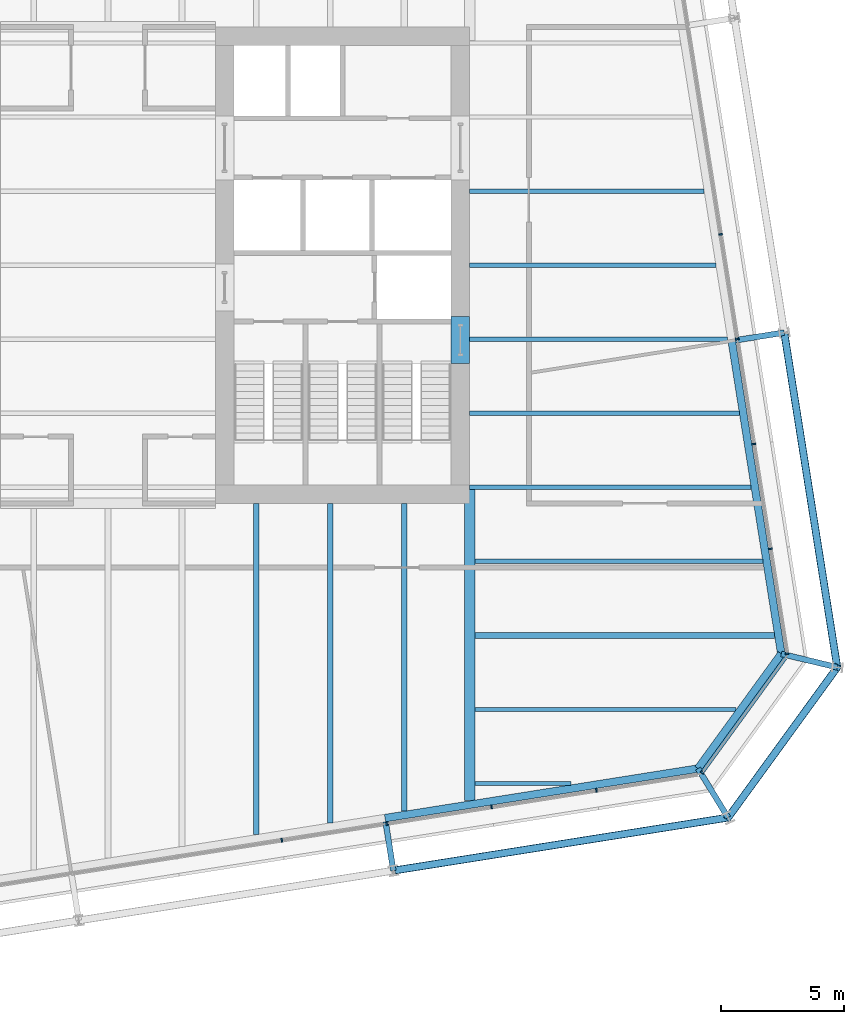
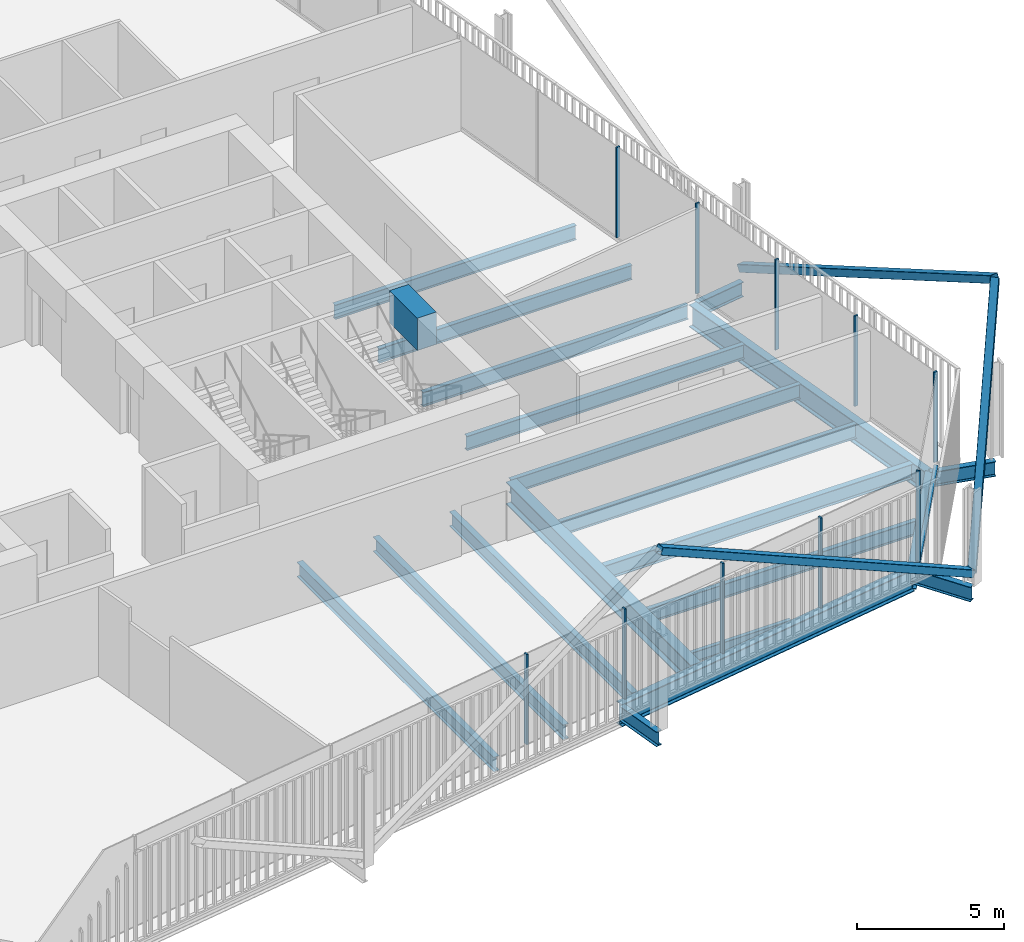
# One storey, part 8 of 22: 21 beams, 14 members, 3 elements without a shape of their own.
"""IFC4 building model written with IfcOpenShell, lengths in metres."""

import ifcopenshell
import ifcopenshell.guid

model = None  # the IFC model being written
_history = None  # IfcOwnerHistory: only IFC2X3 demands one
_inside = {}  # id of a spatial element -> (the spatial element, [elements in it])
_under = {}  # id of a project, library or spatial element -> (it, [spatial elements below it])
_declared = {}  # id of a project -> (the project, [libraries it declares])
_typed = {}  # id of a type object -> (the type object, [elements of that type])
_made_of = {}  # id of a material, layer set ... -> (it, [elements and type objects made of it])


def new_model(schema):
    """Start an empty IFC model of exactly this schema.

    Asked for "IFC4X3", IfcOpenShell would pick the latest addendum, in which some entities
    have other attributes; the version numbers below select the first issue.
    IFC2X3 requires an IfcOwnerHistory on every rooted entity: one is made here for all.
    """
    global model, _history
    if schema == "IFC4X3":
        model = ifcopenshell.file(schema_version=(4, 3, 0, 0))
    else:
        model = ifcopenshell.file(schema=schema)
    _inside.clear()
    _under.clear()
    _declared.clear()
    _typed.clear()
    _made_of.clear()
    _history = None
    if model.schema == "IFC2X3":
        org = make("IfcOrganization", Name="unknown")
        user = make(
            "IfcPersonAndOrganization",
            ThePerson=make("IfcPerson", FamilyName="unknown"),
            TheOrganization=org,
        )
        app = make(
            "IfcApplication",
            ApplicationDeveloper=org,
            Version="unknown",
            ApplicationFullName="unknown",
            ApplicationIdentifier="unknown",
        )
        _history = make(
            "IfcOwnerHistory",
            OwningUser=user,
            OwningApplication=app,
            ChangeAction="ADDED",
            CreationDate=0,
        )
    return model


def make(cls, **values):
    """One entity of the class cls with the attributes given. An attribute that is None is left unset."""
    return model.create_entity(
        cls, **{name: value for name, value in values.items() if value is not None}
    )


def rooted(cls, **values):
    """An entity with a GlobalId (a new one), such as an element, a storey or a relation."""
    return make(cls, GlobalId=ifcopenshell.guid.new(), OwnerHistory=_history, **values)


def si_unit(unit_type, name, prefix=None):
    """IfcSIUnit, for example si_unit("LENGTHUNIT", "METRE", prefix="MILLI")."""
    return make("IfcSIUnit", UnitType=unit_type, Prefix=prefix, Name=name)


def assignment(units):
    """IfcUnitAssignment: the units of a project."""
    return None if units is None else make("IfcUnitAssignment", Units=units)


def point(xyz):
    """IfcCartesianPoint."""
    return None if xyz is None else make("IfcCartesianPoint", Coordinates=xyz)


def direction(xyz):
    """IfcDirection."""
    return None if xyz is None else make("IfcDirection", DirectionRatios=xyz)


def frame(location, z_axis=None, x_axis=None):
    """IfcAxis2Placement3D, a coordinate frame: its origin and axes. An axis left out is left unset."""
    return make(
        "IfcAxis2Placement3D",
        Location=point(location),
        Axis=direction(z_axis),
        RefDirection=direction(x_axis),
    )


def frame_2d(location, x_axis=None):
    """IfcAxis2Placement2D, a coordinate frame in the plane: its origin and x axis."""
    return make(
        "IfcAxis2Placement2D", Location=point(location), RefDirection=direction(x_axis)
    )


def origin():
    """The frame at (0, 0, 0) with its axes left unset."""
    return frame((0.0, 0.0, 0.0))


def origin_2d():
    """The frame at (0, 0) in the plane with its x axis left unset."""
    return frame_2d((0.0, 0.0))


def place(relative_to, where):
    """IfcLocalPlacement: puts the frame where relative to a parent placement (None: the world)."""
    return make(
        "IfcLocalPlacement", PlacementRelTo=relative_to, RelativePlacement=where
    )


def context(
    kind, dimensions, precision=None, world=None, true_north=None, identifier=None
):
    """IfcGeometricRepresentationContext, for example the 3D "Model" context."""
    return make(
        "IfcGeometricRepresentationContext",
        ContextIdentifier=identifier,
        ContextType=kind,
        CoordinateSpaceDimension=dimensions,
        Precision=precision,
        WorldCoordinateSystem=world,
        TrueNorth=true_north,
    )


def subcontext(parent, identifier, kind, view, scale=None):
    """IfcGeometricRepresentationSubContext, for example "Body" below "Model"."""
    return make(
        "IfcGeometricRepresentationSubContext",
        ContextIdentifier=identifier,
        ContextType=kind,
        ParentContext=parent,
        TargetScale=scale,
        TargetView=view,
    )


def project(units=None, contexts=None):
    """IfcProject with its units and contexts."""
    return rooted(
        "IfcProject",
        Name="project",
        RepresentationContexts=contexts,
        UnitsInContext=assignment(units),
    )


def spatial(cls, under=None, at=None, **own):
    """A site, building, storey or space (cls), placed at a placement, below another one or the project."""
    s = rooted(cls, ObjectPlacement=at, **own)
    if under is not None:
        _under.setdefault(under.id(), (under, []))[1].append(s)
    return s


def profile(cls, at=None, kind="AREA", **sizes):
    """A parametric profile (cls). Its sizes go by their IFC names, for example OverallWidth=200.0."""
    return make(cls, ProfileType=kind, Position=at, **sizes)


def rectangle(**sizes):
    """IfcRectangleProfileDef."""
    return profile("IfcRectangleProfileDef", **sizes)


def hollow_rectangle(**sizes):
    """IfcRectangleHollowProfileDef."""
    return profile("IfcRectangleHollowProfileDef", **sizes)


def i_section(**sizes):
    """IfcIShapeProfileDef."""
    return profile("IfcIShapeProfileDef", **sizes)


def extrude(swept, where, along, depth):
    """IfcExtrudedAreaSolid: the profile swept, set in the frame where, extruded along a direction by depth."""
    return make(
        "IfcExtrudedAreaSolid",
        SweptArea=swept,
        Position=where,
        ExtrudedDirection=direction(along),
        Depth=depth,
    )


def shape(context_of_items, identifier, shape_type, items):
    """IfcShapeRepresentation: the items that make up one representation, for example the "Body"."""
    return make(
        "IfcShapeRepresentation",
        ContextOfItems=context_of_items,
        RepresentationIdentifier=identifier,
        RepresentationType=shape_type,
        Items=items,
    )


def material(Name=None, Category=None):
    """IfcMaterial."""
    return make("IfcMaterial", Name=Name, Category=Category)


def layer(
    of_material, thickness, ventilated=None, Name=None, Category=None, Priority=None
):
    """IfcMaterialLayer: one layer of a wall or slab, of a material (None: an air gap)."""
    return make(
        "IfcMaterialLayer",
        Material=of_material,
        LayerThickness=thickness,
        IsVentilated=ventilated,
        Name=Name,
        Category=Category,
        Priority=Priority,
    )


def layer_set(layers, Name=None):
    """IfcMaterialLayerSet."""
    return make("IfcMaterialLayerSet", MaterialLayers=layers, LayerSetName=Name)


def material_profile(
    of_material, cross_section, Name=None, Category=None, Priority=None
):
    """IfcMaterialProfile: a cross section and its material."""
    return make(
        "IfcMaterialProfile",
        Name=Name,
        Material=of_material,
        Profile=cross_section,
        Priority=Priority,
        Category=Category,
    )


def profile_set(profiles, Name=None, composite=None):
    """IfcMaterialProfileSet."""
    return make(
        "IfcMaterialProfileSet",
        Name=Name,
        MaterialProfiles=profiles,
        CompositeProfile=composite,
    )


def made_of(thing, what):
    """Note that an element or type object is made of a material, layer set ...; save() writes the relation."""
    if what is not None:
        _made_of.setdefault(what.id(), (what, []))[1].append(thing)
    return thing


def type_object(cls, material=None, **own):
    """A type object (cls), such as IfcWallType, which elements share."""
    return made_of(rooted(cls, **own), material)


def element(
    cls,
    number,
    at=None,
    inside=None,
    cuts=None,
    type_object=None,
    material=None,
    context=None,
    identifier="Body",
    shape_type=None,
    held_by="IfcProductDefinitionShape",
    body=None,
    shapes=None,
    **own,
):
    """One element of the class cls, such as IfcWall. Its Tag is "e" and its number.

    at: its placement. inside: the storey or other place that contains it. cuts: it is an
    opening in that element (IfcRelVoidsElement). A single representation is given by context,
    identifier, shape_type and body (its items); several are given by shapes. held_by: the class
    of the entity that holds the representations. save() writes the other relations.
    """
    e = rooted(cls, Tag="e%d" % number, ObjectPlacement=at, **own)
    if body is not None:
        shapes = [shape(context, identifier, shape_type, body)]
    if shapes is not None:
        e.Representation = make(held_by, Representations=shapes)
    if inside is not None:
        _inside.setdefault(inside.id(), (inside, []))[1].append(e)
    if cuts is not None:
        rooted(
            "IfcRelVoidsElement", RelatingBuildingElement=cuts, RelatedOpeningElement=e
        )
    if type_object is not None:
        _typed.setdefault(type_object.id(), (type_object, []))[1].append(e)
    return made_of(e, material)


def aggregate(whole, parts):
    """IfcRelAggregates: a whole, such as a stair, and the parts it consists of."""
    return rooted("IfcRelAggregates", RelatingObject=whole, RelatedObjects=parts)


def save(model, path):
    """Write the relations noted so far, then the file.

    IfcRelAggregates (storeys below a building ...), IfcRelContainedInSpatialStructure (elements
    in a storey), IfcRelDefinesByType, IfcRelAssociatesMaterial and IfcRelDeclares: one each for
    every whole, place, type object, material and project.
    """
    for whole, parts in _under.values():
        aggregate(whole, parts)
    for where, things in _inside.values():
        rooted(
            "IfcRelContainedInSpatialStructure",
            RelatedElements=things,
            RelatingStructure=where,
        )
    for kind, things in _typed.values():
        rooted("IfcRelDefinesByType", RelatedObjects=things, RelatingType=kind)
    for what, things in _made_of.values():
        rooted("IfcRelAssociatesMaterial", RelatedObjects=things, RelatingMaterial=what)
    for by, libraries in _declared.values():
        rooted("IfcRelDeclares", RelatingContext=by, RelatedDefinitions=libraries)
    model.write(path)


model = new_model("IFC4")

# Units and contexts
model_context = context("Model", 3, precision=1e-05, world=origin(), true_north=direction((0.0, 1.0)))
body_context = subcontext(model_context, "Body", "Model", "MODEL_VIEW")
ifc_project = project(units=[si_unit("LENGTHUNIT", "METRE"), si_unit("AREAUNIT", "SQUARE_METRE"), si_unit("VOLUMEUNIT", "CUBIC_METRE"), si_unit("PLANEANGLEUNIT", "RADIAN"), si_unit("MASSUNIT", "GRAM", prefix="KILO")], contexts=[model_context])

# Site, building, storey
site_placement = place(None, origin())
site = spatial("IfcSite", under=ifc_project, at=site_placement, CompositionType="ELEMENT")
building_placement = place(site_placement, origin())
building = spatial("IfcBuilding", under=site, at=building_placement, Name="Millrace Tower", CompositionType="ELEMENT")
storey_placement = place(building_placement, frame((0.0, 0.0, 160.699951171875)))
storey = spatial("IfcBuildingStorey", under=building, at=storey_placement, Name="L36", CompositionType="ELEMENT", Elevation=160.699951171875)

# Curtain wall, members
ifc_material_1 = material(Name="Aluminium and glass", Category="aluminium")
ifc_layer = layer(ifc_material_1, 0.14990234375)
ifc_layer_set = layer_set([ifc_layer], Name="Aluminium and glass")
curtain_wall_type = type_object("IfcCurtainWallType", Name="CW-1 office vision curtain wall", PredefinedType="NOTDEFINED", material=ifc_layer_set)
placement = place(storey_placement, origin())
curtain_wall_1 = element("IfcCurtainWall", 1, at=placement, inside=storey, type_object=curtain_wall_type, Name="Curtain wall C-F02 L36", PredefinedType="NOTDEFINED")
ifc_material_2 = material(Name="Aluminium", Category="aluminium")
ifc_material_profile_1 = material_profile(ifc_material_2, rectangle(XDim=0.06494140625, YDim=0.14990234375, at=origin_2d()))
ifc_profile_set_1 = profile_set([ifc_material_profile_1], Name="Aluminium")
member_type_1 = type_object("IfcMemberType", Name="CW-1 office vision curtain wall mullion", PredefinedType="MULLION", material=ifc_profile_set_1)
member_1_placement = place(storey_placement, frame((7.04345703125, -23.293212890625, 0.14013671875), z_axis=(0.0, 0.0, 1.0), x_axis=(0.98768833929, 0.15643447328, 0.0)))
member_1 = element("IfcMember", 2, at=member_1_placement, type_object=member_type_1, Name="CW1 mullion C-F02.6", PredefinedType="MULLION", context=body_context, shape_type="SweptSolid", body=[
    extrude(rectangle(XDim=0.06494140625, YDim=0.14990234375, at=origin_2d()), origin(), (0.0, 0.0, 1.0), 3.760009765625),
])
member_2_placement = place(storey_placement, frame((11.29052734375, -22.62060546875, 0.14013671875), z_axis=(0.0, 0.0, 1.0), x_axis=(0.98768833929, 0.15643447328, 0.0)))
member_2 = element("IfcMember", 3, at=member_2_placement, type_object=member_type_1, Name="CW1 mullion C-F02.7", PredefinedType="MULLION", context=body_context, shape_type="SweptSolid", body=[
    extrude(rectangle(XDim=0.06494140625, YDim=0.14990234375, at=origin_2d()), origin(), (0.0, 0.0, 1.0), 3.760009765625),
])
member_3_placement = place(storey_placement, frame((15.53759765625, -21.947998046875, 0.14013671875), z_axis=(0.0, 0.0, 1.0), x_axis=(0.98768833929, 0.15643447328, 0.0)))
member_3 = element("IfcMember", 4, at=member_3_placement, type_object=member_type_1, Name="CW1 mullion C-F02.8", PredefinedType="MULLION", context=body_context, shape_type="SweptSolid", body=[
    extrude(rectangle(XDim=0.06494140625, YDim=0.14990234375, at=origin_2d()), origin(), (0.0, 0.0, 1.0), 3.760009765625),
])
member_4_placement = place(storey_placement, frame((19.78466796875, -21.275390625, 0.14013671875), z_axis=(0.0, 0.0, 1.0), x_axis=(0.98768833929, 0.15643447328, 0.0)))
member_4 = element("IfcMember", 5, at=member_4_placement, type_object=member_type_1, Name="CW1 mullion C-F02.9", PredefinedType="MULLION", context=body_context, shape_type="SweptSolid", body=[
    extrude(rectangle(XDim=0.06494140625, YDim=0.14990234375, at=origin_2d()), origin(), (0.0, 0.0, 1.0), 3.760009765625),
])
aggregate(curtain_wall_1, [member_1, member_2, member_3, member_4])

# Curtain wall, member
curtain_wall_2 = element("IfcCurtainWall", 6, at=placement, inside=storey, type_object=curtain_wall_type, Name="Curtain wall C-F03 L36", PredefinedType="NOTDEFINED")
member_5_placement = place(storey_placement, frame((24.06787109375, -20.551513671875, 0.14013671875), z_axis=(0.0, 0.0, 1.0), x_axis=(0.587785269844, 0.809016981623, 0.0)))
member_5 = element("IfcMember", 7, at=member_5_placement, type_object=member_type_1, Name="CW1 mullion C-F03.1", PredefinedType="MULLION", context=body_context, shape_type="SweptSolid", body=[
    extrude(rectangle(XDim=0.06494140625, YDim=0.14990234375, at=origin_2d()), origin(), (0.0, 0.0, 1.0), 3.760009765625),
])

# Curtain wall, members
curtain_wall_3 = element("IfcCurtainWall", 8, at=placement, inside=storey, type_object=curtain_wall_type, Name="Curtain wall C-F04 L36", PredefinedType="NOTDEFINED")
member_6_placement = place(storey_placement, frame((27.506591796875, -15.74169921875, 0.14013671875), z_axis=(0.0, 0.0, 1.0), x_axis=(-0.15643447328, 0.98768833929, 0.0)))
member_6 = element("IfcMember", 9, at=member_6_placement, type_object=member_type_1, Name="CW1 mullion C-F04.1", PredefinedType="MULLION", context=body_context, shape_type="SweptSolid", body=[
    extrude(rectangle(XDim=0.06494140625, YDim=0.14990234375, at=origin_2d()), origin(), (0.0, 0.0, 1.0), 3.760009765625),
])
member_7_placement = place(storey_placement, frame((26.833984375, -11.49462890625, 0.14013671875), z_axis=(0.0, 0.0, 1.0), x_axis=(-0.15643447328, 0.98768833929, 0.0)))
member_7 = element("IfcMember", 10, at=member_7_placement, type_object=member_type_1, Name="CW1 mullion C-F04.2", PredefinedType="MULLION", context=body_context, shape_type="SweptSolid", body=[
    extrude(rectangle(XDim=0.06494140625, YDim=0.14990234375, at=origin_2d()), origin(), (0.0, 0.0, 1.0), 3.760009765625),
])
member_8_placement = place(storey_placement, frame((26.161376953125, -7.24755859375, 0.14013671875), z_axis=(0.0, 0.0, 1.0), x_axis=(-0.15643447328, 0.98768833929, 0.0)))
member_8 = element("IfcMember", 11, at=member_8_placement, type_object=member_type_1, Name="CW1 mullion C-F04.3", PredefinedType="MULLION", context=body_context, shape_type="SweptSolid", body=[
    extrude(rectangle(XDim=0.06494140625, YDim=0.14990234375, at=origin_2d()), origin(), (0.0, 0.0, 1.0), 3.760009765625),
])
member_9_placement = place(storey_placement, frame((25.48876953125, -3.00048828125, 0.14013671875), z_axis=(0.0, 0.0, 1.0), x_axis=(-0.15643447328, 0.98768833929, 0.0)))
member_9 = element("IfcMember", 12, at=member_9_placement, type_object=member_type_1, Name="CW1 mullion C-F04.4", PredefinedType="MULLION", context=body_context, shape_type="SweptSolid", body=[
    extrude(rectangle(XDim=0.06494140625, YDim=0.14990234375, at=origin_2d()), origin(), (0.0, 0.0, 1.0), 3.760009765625),
])
member_10_placement = place(storey_placement, frame((24.81591796875, 1.24658203125, 0.14013671875), z_axis=(0.0, 0.0, 1.0), x_axis=(-0.15643447328, 0.98768833929, 0.0)))
member_10 = element("IfcMember", 13, at=member_10_placement, type_object=member_type_1, Name="CW1 mullion C-F04.5", PredefinedType="MULLION", context=body_context, shape_type="SweptSolid", body=[
    extrude(rectangle(XDim=0.06494140625, YDim=0.14990234375, at=origin_2d()), origin(), (0.0, 0.0, 1.0), 3.760009765625),
])
aggregate(curtain_wall_3, [member_6, member_7, member_8, member_9, member_10])

# Member
ifc_material_3 = material(Name="Aluminium", Category="aluminium")
ifc_material_profile_2 = material_profile(ifc_material_3, rectangle(XDim=0.14990234375, YDim=0.139892578125, at=origin_2d()))
ifc_profile_set_2 = profile_set([ifc_material_profile_2], Name="Aluminium")
member_type_2 = type_object("IfcMemberType", Name="CW-1 office vision curtain wall transom", PredefinedType="USERDEFINED", material=ifc_profile_set_2)
member_11_placement = place(storey_placement, frame((24.107421875, -20.496826171875, 0.070068359375), z_axis=(0.587810581339, 0.808998591139, 0.0), x_axis=(-0.808998591139, 0.587810581339, 0.0)))
member_11 = element("IfcMember", 14, at=member_11_placement, type_object=member_type_2, Name="CW1 transom C-F03.1", ObjectType="TRANSOM", PredefinedType="USERDEFINED", context=body_context, shape_type="SweptSolid", body=[
    extrude(rectangle(XDim=0.14990234375, YDim=0.139892578125, at=origin_2d()), origin(), (0.0, 0.0, 1.0), 5.6689453125),
])

aggregate(curtain_wall_2, [member_5, member_11])

# Beam
ifc_material_4 = material(Name="Concrete C70", Category="concrete")
ifc_material_profile_3 = material_profile(ifc_material_4, rectangle(XDim=0.75, YDim=1.340087890625, at=origin_2d()))
ifc_profile_set_3 = profile_set([ifc_material_profile_3], Name="Concrete C70")
beam_type_1 = type_object("IfcBeamType", Name="Coupling beam 750 x 1340 Concrete C70, 1300 opening", PredefinedType="BEAM", material=ifc_profile_set_3)
beam_1_placement = place(storey_placement, frame((14.27490234375, -2.080078125, 3.070068359375), z_axis=(0.0, -1.0, 0.0), x_axis=(1.0, 0.0, 0.0)))
element("IfcBeam", 15, at=beam_1_placement, inside=storey, type_object=beam_type_1, Name="Coupling beam E L36", PredefinedType="BEAM", context=body_context, shape_type="SweptSolid", body=[
    extrude(rectangle(XDim=0.75, YDim=1.340087890625, at=origin_2d()), origin(), (0.0, 0.0, 1.0), 1.89990234375),
])

# Members
ifc_material_5 = material(Name="Steel ASTM A500 Grade C", Category="steel")
ifc_material_profile_4 = material_profile(ifc_material_5, hollow_rectangle(XDim=0.3046875, YDim=0.3046875, WallThickness=0.0126953125, InnerFilletRadius=0.00634765625, OuterFilletRadius=0.01904296875, at=origin_2d()))
ifc_profile_set_4 = profile_set([ifc_material_profile_4], Name="Steel ASTM A500 Grade C")
member_type_3 = type_object("IfcMemberType", Name="Exoskeleton brace HSS12x12x1/2", PredefinedType="BRACE", material=ifc_profile_set_4)
member_12_placement = place(storey_placement, frame((25.119140625, -22.37939453125, 0.400146484375), z_axis=(-0.879908188937, -0.139368965396, 0.454244285078), x_axis=(0.156440158434, -0.987687438833, 0.0)))
element("IfcMember", 16, at=member_12_placement, inside=storey, type_object=member_type_3, Name="BRC-C-L36-04", PredefinedType="BRACE", context=body_context, shape_type="SweptSolid", body=[
    extrude(hollow_rectangle(XDim=0.3046875, YDim=0.3046875, WallThickness=0.0126953125, InnerFilletRadius=0.00634765625, OuterFilletRadius=0.01904296875, at=origin_2d()), origin(), (0.0, 0.0, 1.0), 15.41015625),
])
member_13_placement = place(storey_placement, frame((25.119140625, -22.37939453125, 0.400146484375), z_axis=(0.430395153162, 0.592372334541, 0.681069034243), x_axis=(-0.809009551985, 0.587795495726, 0.0)))
element("IfcMember", 17, at=member_13_placement, inside=storey, type_object=member_type_3, Name="BRC-C-L36-05", PredefinedType="BRACE", context=body_context, shape_type="SweptSolid", body=[
    extrude(hollow_rectangle(XDim=0.3046875, YDim=0.3046875, WallThickness=0.0126953125, InnerFilletRadius=0.00634765625, OuterFilletRadius=0.01904296875, at=origin_2d()), origin(), (0.0, 0.0, 1.0), 10.278076171875),
])
member_14_placement = place(storey_placement, frame((27.39501953125, -2.7314453125, 0.400146484375), z_axis=(0.139368965396, -0.879908188937, 0.454244285078), x_axis=(0.987687438833, 0.156440158434, 0.0)))
element("IfcMember", 18, at=member_14_placement, inside=storey, type_object=member_type_3, Name="BRC-C-L36-06", PredefinedType="BRACE", context=body_context, shape_type="SweptSolid", body=[
    extrude(hollow_rectangle(XDim=0.3046875, YDim=0.3046875, WallThickness=0.0126953125, InnerFilletRadius=0.00634765625, OuterFilletRadius=0.01904296875, at=origin_2d()), origin(), (0.0, 0.0, 1.0), 15.41015625),
])

# Beams
ifc_material_6 = material(Name="Steel ASTM A992 Grade 50", Category="steel")
ifc_material_profile_5 = material_profile(ifc_material_6, i_section(OverallWidth=0.15234375, OverallDepth=0.449462890625, WebThickness=0.007568359375, FlangeThickness=0.0107421875, FilletRadius=0.01025390625, at=origin_2d()))
ifc_profile_set_5 = profile_set([ifc_material_profile_5], Name="Steel ASTM A992 Grade 50")
beam_type_2 = type_object("IfcBeamType", Name="Floor beam W18x35", PredefinedType="JOIST", material=ifc_profile_set_5)
beam_2_placement = place(storey_placement, frame((14.859619140625, -21.0, -0.384765625), z_axis=(1.0, 0.0, 0.0), x_axis=(0.0, 1.0, 0.0)))
element("IfcBeam", 19, at=beam_2_placement, inside=storey, type_object=beam_type_2, Name="BM-C-L36-S1-S003", PredefinedType="JOIST", context=body_context, shape_type="SweptSolid", body=[
    extrude(i_section(OverallWidth=0.15234375, OverallDepth=0.449462890625, WebThickness=0.007568359375, FlangeThickness=0.0107421875, FilletRadius=0.01025390625, at=origin_2d()), origin(), (0.0, 0.0, 1.0), 3.9033203125),
])
ifc_material_7 = material(Name="Steel ASTM A992 Grade 50", Category="steel")
ifc_material_profile_6 = material_profile(ifc_material_7, i_section(OverallWidth=0.177978515625, OverallDepth=0.599365234375, WebThickness=0.010009765625, FlangeThickness=0.012939453125, FilletRadius=0.012939453125, at=origin_2d()))
ifc_profile_set_6 = profile_set([ifc_material_profile_6], Name="Steel ASTM A992 Grade 50")
beam_type_3 = type_object("IfcBeamType", Name="Floor beam W24x55", PredefinedType="JOIST", material=ifc_profile_set_6)
beam_3_placement = place(storey_placement, frame((14.64990234375, 0.0, -0.459716796875), z_axis=(1.0, 0.0, 0.0), x_axis=(0.0, 1.0, 0.0)))
element("IfcBeam", 20, at=beam_3_placement, inside=storey, type_object=beam_type_3, Name="BM-C-L36-S1-S021", PredefinedType="JOIST", context=body_context, shape_type="SweptSolid", body=[
    extrude(i_section(OverallWidth=0.177978515625, OverallDepth=0.599365234375, WebThickness=0.010009765625, FlangeThickness=0.012939453125, FilletRadius=0.012939453125, at=origin_2d()), origin(), (0.0, 0.0, 1.0), 9.976318359375),
])
beam_4_placement = place(storey_placement, frame((14.64990234375, 3.0, -0.459716796875), z_axis=(1.0, 0.0, 0.0), x_axis=(0.0, 1.0, 0.0)))
element("IfcBeam", 21, at=beam_4_placement, inside=storey, type_object=beam_type_3, Name="BM-C-L36-S1-S024", PredefinedType="JOIST", context=body_context, shape_type="SweptSolid", body=[
    extrude(i_section(OverallWidth=0.177978515625, OverallDepth=0.599365234375, WebThickness=0.010009765625, FlangeThickness=0.012939453125, FilletRadius=0.012939453125, at=origin_2d()), origin(), (0.0, 0.0, 1.0), 9.501220703125),
])
ifc_material_8 = material(Name="Steel ASTM A992 Grade 50", Category="steel")
ifc_material_profile_7 = material_profile(ifc_material_8, i_section(OverallWidth=0.1787109375, OverallDepth=0.60205078125, WebThickness=0.010986328125, FlangeThickness=0.014892578125, FilletRadius=0.0126953125, at=origin_2d()))
ifc_profile_set_7 = profile_set([ifc_material_profile_7], Name="Steel ASTM A992 Grade 50")
beam_type_4 = type_object("IfcBeamType", Name="Floor beam W24x62", PredefinedType="JOIST", material=ifc_profile_set_7)
beam_5_placement = place(storey_placement, frame((14.859619140625, -12.0, -0.4609375), z_axis=(1.0, 0.0, 0.0), x_axis=(0.0, 1.0, 0.0)))
element("IfcBeam", 22, at=beam_5_placement, inside=storey, type_object=beam_type_4, Name="BM-C-L36-S1-S009", PredefinedType="JOIST", context=body_context, shape_type="SweptSolid", body=[
    extrude(i_section(OverallWidth=0.1787109375, OverallDepth=0.60205078125, WebThickness=0.010986328125, FlangeThickness=0.014892578125, FilletRadius=0.0126953125, at=origin_2d()), origin(), (0.0, 0.0, 1.0), 11.667236328125),
])
beam_6_placement = place(storey_placement, frame((14.64990234375, -9.0, -0.4609375), z_axis=(1.0, 0.0, 0.0), x_axis=(0.0, 1.0, 0.0)))
element("IfcBeam", 23, at=beam_6_placement, inside=storey, type_object=beam_type_4, Name="BM-C-L36-S1-S012", PredefinedType="JOIST", context=body_context, shape_type="SweptSolid", body=[
    extrude(i_section(OverallWidth=0.1787109375, OverallDepth=0.60205078125, WebThickness=0.010986328125, FlangeThickness=0.014892578125, FilletRadius=0.0126953125, at=origin_2d()), origin(), (0.0, 0.0, 1.0), 11.40185546875),
])
beam_7_placement = place(storey_placement, frame((14.64990234375, -6.0, -0.4609375), z_axis=(1.0, 0.0, 0.0), x_axis=(0.0, 1.0, 0.0)))
element("IfcBeam", 24, at=beam_7_placement, inside=storey, type_object=beam_type_4, Name="BM-C-L36-S1-S015", PredefinedType="JOIST", context=body_context, shape_type="SweptSolid", body=[
    extrude(i_section(OverallWidth=0.1787109375, OverallDepth=0.60205078125, WebThickness=0.010986328125, FlangeThickness=0.014892578125, FilletRadius=0.0126953125, at=origin_2d()), origin(), (0.0, 0.0, 1.0), 10.9267578125),
])
beam_8_placement = place(storey_placement, frame((14.64990234375, -3.0, -0.4609375), z_axis=(1.0, 0.0, 0.0), x_axis=(0.0, 1.0, 0.0)))
element("IfcBeam", 25, at=beam_8_placement, inside=storey, type_object=beam_type_4, Name="BM-C-L36-S1-S018", PredefinedType="JOIST", context=body_context, shape_type="SweptSolid", body=[
    extrude(i_section(OverallWidth=0.1787109375, OverallDepth=0.60205078125, WebThickness=0.010986328125, FlangeThickness=0.014892578125, FilletRadius=0.0126953125, at=origin_2d()), origin(), (0.0, 0.0, 1.0), 10.45166015625),
])
beam_9_placement = place(storey_placement, frame((14.859619140625, -18.0, -0.4609375), z_axis=(1.0, 0.0, 0.0), x_axis=(0.0, 1.0, 0.0)))
element("IfcBeam", 26, at=beam_9_placement, inside=storey, type_object=beam_type_4, Name="BM-C-L36-S1-S005", PredefinedType="JOIST", context=body_context, shape_type="SweptSolid", body=[
    extrude(i_section(OverallWidth=0.1787109375, OverallDepth=0.60205078125, WebThickness=0.010986328125, FlangeThickness=0.014892578125, FilletRadius=0.0126953125, at=origin_2d()), origin(), (0.0, 0.0, 1.0), 10.577392578125),
])
ifc_material_9 = material(Name="Steel ASTM A992 Grade 50", Category="steel")
ifc_material_profile_8 = material_profile(ifc_material_9, i_section(OverallWidth=0.228271484375, OverallDepth=0.607177734375, WebThickness=0.01123046875, FlangeThickness=0.017333984375, FilletRadius=0.0126953125, at=origin_2d()))
ifc_profile_set_8 = profile_set([ifc_material_profile_8], Name="Steel ASTM A992 Grade 50")
beam_type_5 = type_object("IfcBeamType", Name="Floor beam W24x76", PredefinedType="JOIST", material=ifc_profile_set_8)
beam_10_placement = place(storey_placement, frame((14.859619140625, -15.0, -0.46337890625), z_axis=(1.0, 0.0, 0.0), x_axis=(0.0, 1.0, 0.0)))
element("IfcBeam", 27, at=beam_10_placement, inside=storey, type_object=beam_type_5, Name="BM-C-L36-S1-S007", PredefinedType="JOIST", context=body_context, shape_type="SweptSolid", body=[
    extrude(i_section(OverallWidth=0.228271484375, OverallDepth=0.607177734375, WebThickness=0.01123046875, FlangeThickness=0.017333984375, FilletRadius=0.0126953125, at=origin_2d()), origin(), (0.0, 0.0, 1.0), 12.142578125),
])
beam_11_placement = place(storey_placement, frame((6.0, -23.071533203125, -0.46337890625), z_axis=(0.0, 1.0, 0.0), x_axis=(-1.0, 0.0, 0.0)))
element("IfcBeam", 28, at=beam_11_placement, inside=storey, type_object=beam_type_5, Name="BM-C-L36-S1-S052", PredefinedType="JOIST", context=body_context, shape_type="SweptSolid", body=[
    extrude(i_section(OverallWidth=0.228271484375, OverallDepth=0.607177734375, WebThickness=0.01123046875, FlangeThickness=0.017333984375, FilletRadius=0.0126953125, at=origin_2d()), origin(), (0.0, 0.0, 1.0), 13.421630859375),
])
beam_12_placement = place(storey_placement, frame((9.0, -22.596435546875, -0.46337890625), z_axis=(0.0, 1.0, 0.0), x_axis=(-1.0, 0.0, 0.0)))
element("IfcBeam", 29, at=beam_12_placement, inside=storey, type_object=beam_type_5, Name="BM-C-L36-S1-S054", PredefinedType="JOIST", context=body_context, shape_type="SweptSolid", body=[
    extrude(i_section(OverallWidth=0.228271484375, OverallDepth=0.607177734375, WebThickness=0.01123046875, FlangeThickness=0.017333984375, FilletRadius=0.0126953125, at=origin_2d()), origin(), (0.0, 0.0, 1.0), 12.946533203125),
])
beam_13_placement = place(storey_placement, frame((12.0, -22.12109375, -0.46337890625), z_axis=(0.0, 1.0, 0.0), x_axis=(-1.0, 0.0, 0.0)))
element("IfcBeam", 30, at=beam_13_placement, inside=storey, type_object=beam_type_5, Name="BM-C-L36-S1-S056", PredefinedType="JOIST", context=body_context, shape_type="SweptSolid", body=[
    extrude(i_section(OverallWidth=0.228271484375, OverallDepth=0.607177734375, WebThickness=0.01123046875, FlangeThickness=0.017333984375, FilletRadius=0.0126953125, at=origin_2d()), origin(), (0.0, 0.0, 1.0), 12.47119140625),
])
ifc_material_10 = material(Name="Steel ASTM A992 Grade 50", Category="steel")
ifc_material_profile_9 = material_profile(ifc_material_10, i_section(OverallWidth=0.419189453125, OverallDepth=0.927001953125, WebThickness=0.019287109375, FlangeThickness=0.031982421875, FilletRadius=0.024169921875, at=origin_2d()))
ifc_profile_set_9 = profile_set([ifc_material_profile_9], Name="Steel ASTM A992 Grade 50")
beam_type_6 = type_object("IfcBeamType", Name="Girder medium span W36x231", PredefinedType="BEAM", material=ifc_profile_set_9)
beam_14_placement = place(storey_placement, frame((14.64990234375, -21.693603515625, -0.62353515625), z_axis=(0.0, 1.0, 0.0), x_axis=(-1.0, 0.0, 0.0)))
element("IfcBeam", 31, at=beam_14_placement, inside=storey, type_object=beam_type_6, Name="BM-C-L36-S1-G060", PredefinedType="BEAM", context=body_context, shape_type="SweptSolid", body=[
    extrude(i_section(OverallWidth=0.419189453125, OverallDepth=0.927001953125, WebThickness=0.019287109375, FlangeThickness=0.031982421875, FilletRadius=0.024169921875, at=origin_2d()), origin(), (0.0, 0.0, 1.0), 12.603515625),
])
ifc_material_11 = material(Name="Steel ASTM A992 Grade 50", Category="steel")
ifc_material_profile_10 = material_profile(ifc_material_11, i_section(OverallWidth=0.23046875, OverallDepth=0.6171875, WebThickness=0.01318359375, FlangeThickness=0.022216796875, FilletRadius=0.012939453125, at=origin_2d()))
ifc_profile_set_10 = profile_set([ifc_material_profile_10], Name="Steel ASTM A992 Grade 50")
beam_type_7 = type_object("IfcBeamType", Name="Link beam W24x94", PredefinedType="BEAM", material=ifc_profile_set_10)
beam_15_placement = place(storey_placement, frame((25.419677734375, -3.04443359375, -0.468505859375), z_axis=(0.987678691416, 0.156495375404, 0.0), x_axis=(-0.156495375404, 0.987678691416, 0.0)))
element("IfcBeam", 32, at=beam_15_placement, inside=storey, type_object=beam_type_7, Name="LNK-C-L36-S1-11", PredefinedType="BEAM", context=body_context, shape_type="SweptSolid", body=[
    extrude(i_section(OverallWidth=0.23046875, OverallDepth=0.6171875, WebThickness=0.01318359375, FlangeThickness=0.022216796875, FilletRadius=0.012939453125, at=origin_2d()), origin(), (0.0, 0.0, 1.0), 2.0),
])
beam_16_placement = place(storey_placement, frame((27.27587890625, -15.746826171875, -0.468505859375), z_axis=(0.972373041068, -0.233432364948, 0.0), x_axis=(0.233432364948, 0.972373041068, 0.0)))
element("IfcBeam", 33, at=beam_16_placement, inside=storey, type_object=beam_type_7, Name="LNK-C-L36-S1-12", PredefinedType="BEAM", context=body_context, shape_type="SweptSolid", body=[
    extrude(i_section(OverallWidth=0.23046875, OverallDepth=0.6171875, WebThickness=0.01318359375, FlangeThickness=0.022216796875, FilletRadius=0.012939453125, at=origin_2d()), origin(), (0.0, 0.0, 1.0), 2.331298828125),
])
beam_17_placement = place(storey_placement, frame((23.901123046875, -20.391845703125, -0.468505859375), z_axis=(0.522512938711, -0.852631355792, 0.0), x_axis=(0.852631355792, 0.522512938711, 0.0)))
element("IfcBeam", 34, at=beam_17_placement, inside=storey, type_object=beam_type_7, Name="LNK-C-L36-S1-13", PredefinedType="BEAM", context=body_context, shape_type="SweptSolid", body=[
    extrude(i_section(OverallWidth=0.23046875, OverallDepth=0.6171875, WebThickness=0.01318359375, FlangeThickness=0.022216796875, FilletRadius=0.012939453125, at=origin_2d()), origin(), (0.0, 0.0, 1.0), 2.3310546875),
])
beam_18_placement = place(storey_placement, frame((11.246826171875, -22.5517578125, -0.468505859375), z_axis=(0.15637629034, -0.987697552806, 0.0), x_axis=(0.987697552806, 0.15637629034, 0.0)))
element("IfcBeam", 35, at=beam_18_placement, inside=storey, type_object=beam_type_7, Name="LNK-C-L36-S1-14", PredefinedType="BEAM", context=body_context, shape_type="SweptSolid", body=[
    extrude(i_section(OverallWidth=0.23046875, OverallDepth=0.6171875, WebThickness=0.01318359375, FlangeThickness=0.022216796875, FilletRadius=0.012939453125, at=origin_2d()), origin(), (0.0, 0.0, 1.0), 2.0),
])
ifc_material_12 = material(Name="Steel ASTM A992 Grade 50", Category="steel")
ifc_material_profile_11 = material_profile(ifc_material_12, i_section(OverallWidth=0.307373046875, OverallDepth=0.927001953125, WebThickness=0.01953125, FlangeThickness=0.031982421875, FilletRadius=0.01904296875, at=origin_2d()))
ifc_profile_set_11 = profile_set([ifc_material_profile_11], Name="Steel ASTM A992 Grade 50")
beam_type_8 = type_object("IfcBeamType", Name="Ring beam medium span W36x194", PredefinedType="SPANDREL", material=ifc_profile_set_11)
for number, where, z_axis, x_axis, name in (
    (36, (25.267822265625, -3.068359375, -0.62353515625), (0.15643330783, -0.987688523879, 0.0), (0.987688523879, 0.15643330783, 0.0), "RNG-C-L36-S1-11"),
    (37, (23.901123046875, -20.391845703125, -0.62353515625), (-0.987688523879, -0.15643330783, 0.0), (0.15643330783, -0.987688523879, 0.0), "RNG-C-L36-S1-13"),
):
    element("IfcBeam", number, at=place(storey_placement, frame(where, z_axis=z_axis, x_axis=x_axis)), inside=storey, type_object=beam_type_8, Name=name, PredefinedType="SPANDREL", context=body_context, shape_type="SweptSolid", body=[
        extrude(i_section(OverallWidth=0.307373046875, OverallDepth=0.927001953125, WebThickness=0.01953125, FlangeThickness=0.031982421875, FilletRadius=0.01904296875, at=origin_2d()), origin(), (0.0, 0.0, 1.0), 12.83642578125),
    ])
ifc_material_13 = material(Name="Steel ASTM A992 Grade 50", Category="steel")
ifc_material_profile_12 = material_profile(ifc_material_13, i_section(OverallWidth=0.307373046875, OverallDepth=0.927001953125, WebThickness=0.01953125, FlangeThickness=0.031982421875, FilletRadius=0.01904296875, at=origin_2d()))
ifc_profile_set_12 = profile_set([ifc_material_profile_12], Name="Steel ASTM A992 Grade 50")
beam_type_9 = type_object("IfcBeamType", Name="Ring beam short span W36x194", PredefinedType="SPANDREL", material=ifc_profile_set_12)
beam_19_placement = place(storey_placement, frame((27.27587890625, -15.746826171875, -0.62353515625), z_axis=(-0.58777973792, -0.809021000772, 0.0), x_axis=(0.809021000772, -0.58777973792, 0.0)))
element("IfcBeam", 38, at=beam_19_placement, inside=storey, type_object=beam_type_9, Name="RNG-C-L36-S1-12", PredefinedType="SPANDREL", context=body_context, shape_type="SweptSolid", body=[
    extrude(i_section(OverallWidth=0.307373046875, OverallDepth=0.927001953125, WebThickness=0.01953125, FlangeThickness=0.031982421875, FilletRadius=0.01904296875, at=origin_2d()), origin(), (0.0, 0.0, 1.0), 5.741455078125),
])

save(model, "model.ifc")
